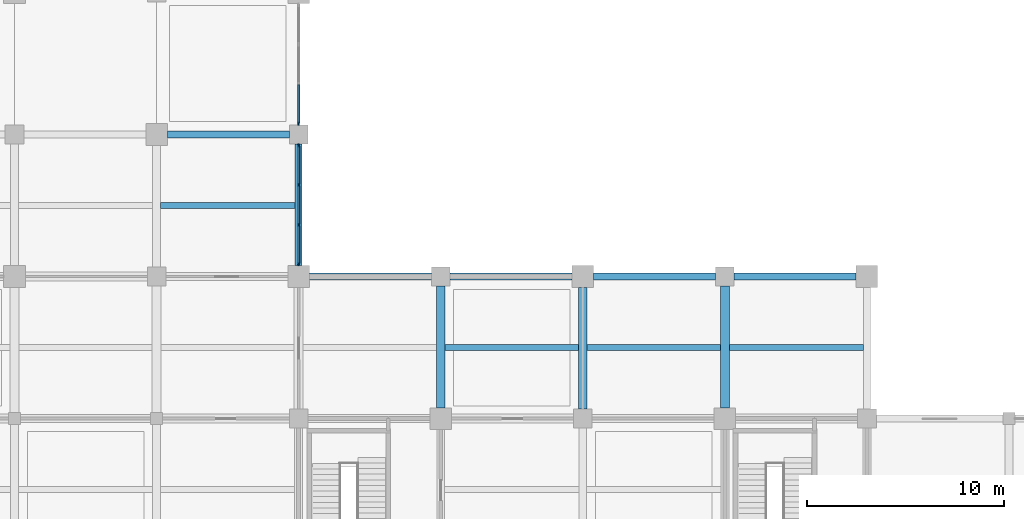
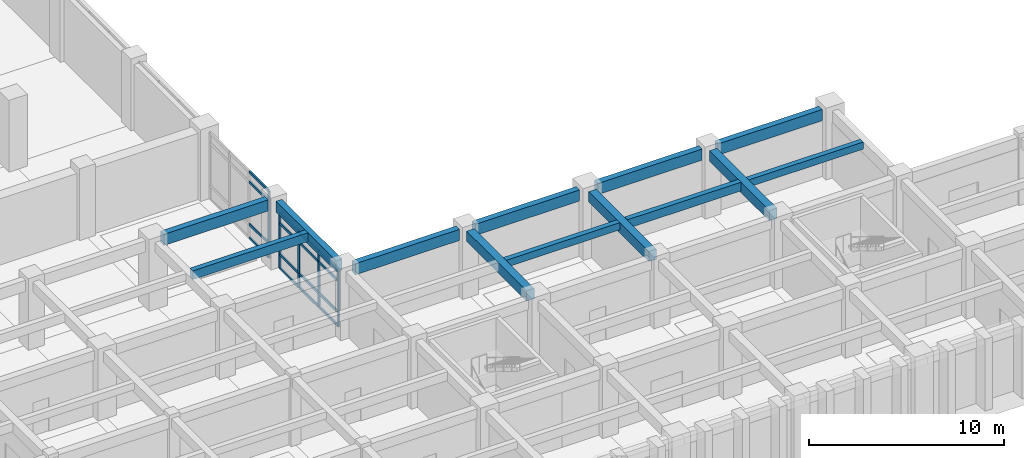
# One storey, part 5 of 81: 21 members, 13 beams, 2 elements without a shape of their own.
"""IFC4 building model written with IfcOpenShell, lengths in metres."""

from ifc_helpers import new_model, si_unit, direction, frame, origin, origin_2d, place, context, subcontext, project, spatial, rectangle, extrude, material, layer, layer_set, material_profile, profile_set, type_object, element, aggregate, save


model = new_model("IFC4")

# Units and contexts
model_context = context("Model", 3, precision=1e-05, world=origin(), true_north=direction((0.0, 1.0)))
body_context = subcontext(model_context, "Body", "Model", "MODEL_VIEW")
ifc_project = project(units=[si_unit("LENGTHUNIT", "METRE"), si_unit("AREAUNIT", "SQUARE_METRE"), si_unit("VOLUMEUNIT", "CUBIC_METRE"), si_unit("PLANEANGLEUNIT", "RADIAN"), si_unit("MASSUNIT", "GRAM", prefix="KILO")], contexts=[model_context])

# Site, building, storey
site_placement = place(None, origin())
site = spatial("IfcSite", under=ifc_project, at=site_placement, CompositionType="ELEMENT")
building_placement = place(site_placement, origin())
building = spatial("IfcBuilding", under=site, at=building_placement, Name="Kavelor Marine Aquarium", CompositionType="ELEMENT")
storey_placement = place(building_placement, frame((0.0, 0.0, 4.679931640625)))
storey = spatial("IfcBuildingStorey", under=building, at=storey_placement, Name="L01", CompositionType="ELEMENT", Elevation=4.679931640625)

# Beams
ifc_material_1 = material(Name="Concrete C40/50", Category="concrete")
ifc_material_profile_1 = material_profile(ifc_material_1, rectangle(XDim=0.449951171875, YDim=0.64990234375, at=origin_2d()), Name="RC-BM 450x650")
ifc_profile_set_1 = profile_set([ifc_material_profile_1], Name="Concrete C40/50")
beam_type_1 = type_object("IfcBeamType", Name="BM-B3", PredefinedType="BEAM", material=ifc_profile_set_1)
for number, where, z_axis, x_axis, name in (
    (1, (46.39990234375, 17.75, 3.875), (0.0, 1.0, 0.0), (-1.0, 0.0, 0.0), "bm:y:L01:L02:06_02"),
    (2, (53.60009765625, 17.675048828125, 3.875), (0.0, 1.0, 0.0), (-1.0, 0.0, 0.0), "bm:y:L01:L02:07_02"),
    (3, (60.800048828125, 17.75, 3.875), (0.0, 1.0, 0.0), (-1.0, 0.0, 0.0), "bm:y:L01:L02:08_02"),
):
    element("IfcBeam", number, at=place(storey_placement, frame(where, z_axis=z_axis, x_axis=x_axis)), inside=storey, type_object=beam_type_1, Name=name, PredefinedType="BEAM", context=body_context, shape_type="SweptSolid", body=[
        extrude(rectangle(XDim=0.449951171875, YDim=0.64990234375, at=origin_2d()), origin(), (0.0, 0.0, 1.0), 6.175048828125),
    ])
ifc_material_2 = material(Name="Concrete C40/50", Category="concrete")
ifc_material_profile_2 = material_profile(ifc_material_2, rectangle(XDim=0.300048828125, YDim=0.449951171875, at=origin_2d()), Name="RC-JS 300x450")
ifc_profile_set_2 = profile_set([ifc_material_profile_2], Name="Concrete C40/50")
beam_type_2 = type_object("IfcBeamType", Name="BM-JS1", PredefinedType="JOIST", material=ifc_profile_set_2)
beam_1_placement = place(storey_placement, frame((46.625, 20.800048828125, 3.97509765625), z_axis=(1.0, 0.0, 0.0), x_axis=(0.0, 1.0, 0.0)))
element("IfcBeam", 4, at=beam_1_placement, inside=storey, type_object=beam_type_2, Name="js:L01:L02:06_02", PredefinedType="JOIST", context=body_context, shape_type="SweptSolid", body=[
    extrude(rectangle(XDim=0.300048828125, YDim=0.449951171875, at=origin_2d()), origin(), (0.0, 0.0, 1.0), 6.75),
])
beam_2_placement = place(storey_placement, frame((61.02490234375, 20.800048828125, 3.97509765625), z_axis=(1.0, 0.0, 0.0), x_axis=(0.0, 1.0, 0.0)))
element("IfcBeam", 5, at=beam_2_placement, inside=storey, type_object=beam_type_2, Name="js:L01:L02:08_02", PredefinedType="JOIST", context=body_context, shape_type="SweptSolid", body=[
    extrude(rectangle(XDim=0.300048828125, YDim=0.449951171875, at=origin_2d()), origin(), (0.0, 0.0, 1.0), 6.800048828125),
])
ifc_material_3 = material(Name="Concrete C40/50", Category="concrete")
ifc_material_profile_3 = material_profile(ifc_material_3, rectangle(XDim=0.300048828125, YDim=0.550048828125, at=origin_2d()), Name="RC-JS 300x550")
ifc_profile_set_3 = profile_set([ifc_material_profile_3], Name="Concrete C40/50")
beam_type_3 = type_object("IfcBeamType", Name="BM-JS2", PredefinedType="JOIST", material=ifc_profile_set_3)
beam_3_placement = place(storey_placement, frame((32.199951171875, 28.0, 3.945068359375), z_axis=(1.0, 0.0, 0.0), x_axis=(0.0, 1.0, 0.0)))
element("IfcBeam", 6, at=beam_3_placement, inside=storey, type_object=beam_type_3, Name="js:L01:L02:04_03", PredefinedType="JOIST", context=body_context, shape_type="SweptSolid", body=[
    extrude(rectangle(XDim=0.300048828125, YDim=0.550048828125, at=origin_2d()), origin(), (0.0, 0.0, 1.0), 6.824951171875),
])
beam_4_placement = place(storey_placement, frame((53.824951171875, 20.800048828125, 3.945068359375), z_axis=(1.0, 0.0, 0.0), x_axis=(0.0, 1.0, 0.0)))
element("IfcBeam", 7, at=beam_4_placement, inside=storey, type_object=beam_type_3, Name="js:L01:L02:07_02", PredefinedType="JOIST", context=body_context, shape_type="SweptSolid", body=[
    extrude(rectangle(XDim=0.300048828125, YDim=0.550048828125, at=origin_2d()), origin(), (0.0, 0.0, 1.0), 6.75),
])
ifc_material_4 = material(Name="Concrete C40/50", Category="concrete")
ifc_material_profile_4 = material_profile(ifc_material_4, rectangle(XDim=0.35009765625, YDim=0.699951171875, at=origin_2d()), Name="RC-SP 350x700")
ifc_profile_set_4 = profile_set([ifc_material_profile_4], Name="Concrete C40/50")
beam_type_4 = type_object("IfcBeamType", Name="BM-SP1", PredefinedType="SPANDREL", material=ifc_profile_set_4)
for number, where, z_axis, x_axis, name in (
    (8, (32.550048828125, 31.60009765625, 3.8701171875), (1.0, 0.0, 0.0), (0.0, 1.0, 0.0), "bm:x:L01:L02:04_04"),
    (9, (39.75, 24.39990234375, 3.8701171875), (1.0, 0.0, 0.0), (0.0, 1.0, 0.0), "bm:x:L01:L02:05_03"),
    (10, (46.875, 24.39990234375, 3.85009765625), (1.0, 0.0, 0.0), (0.0, 1.0, 0.0), "bm:x:L01:L02:06_03"),
    (11, (54.14990234375, 24.39990234375, 3.8701171875), (1.0, 0.0, 0.0), (0.0, 1.0, 0.0), "bm:x:L01:L02:07_03"),
    (12, (61.27490234375, 24.39990234375, 3.85009765625), (1.0, 0.0, 0.0), (0.0, 1.0, 0.0), "bm:x:L01:L02:08_03"),
    (13, (39.199951171875, 24.949951171875, 3.8701171875), (0.0, 1.0, 0.0), (-1.0, 0.0, 0.0), "bm:y:L01:L02:05_03"),
):
    element("IfcBeam", number, at=place(storey_placement, frame(where, z_axis=z_axis, x_axis=x_axis)), inside=storey, type_object=beam_type_4, Name=name, PredefinedType="SPANDREL", context=body_context, shape_type="SweptSolid", body=[
        extrude(rectangle(XDim=0.35009765625, YDim=0.699951171875, at=origin_2d()), origin(), (0.0, 0.0, 1.0), 6.175048828125),
    ])

# Curtain wall, members
ifc_material_5 = material(Name="Thermally Broken Aluminium and Low-E Glass", Category="aluminium")
ifc_layer_1 = layer(ifc_material_5, 0.26806640625)
ifc_layer_set_1 = layer_set([ifc_layer_1], Name="CW-SYS16")
curtain_wall_type_1 = type_object("IfcCurtainWallType", Name="CW-SYS16", PredefinedType="USERDEFINED", material=ifc_layer_set_1)
curtain_wall_1_placement = place(storey_placement, origin())
curtain_wall_1 = element("IfcCurtainWall", 14, at=curtain_wall_1_placement, inside=storey, type_object=curtain_wall_type_1, Name="cw:y:L01:05_03", ObjectType="Curtain Wall", PredefinedType="USERDEFINED")
ifc_material_6 = material(Name="Anodised Aluminium Alloy 6063-T6", Category="aluminium")
ifc_material_profile_5 = material_profile(ifc_material_6, rectangle(XDim=0.074951171875, YDim=0.179931640625, at=origin_2d()), Name="CW-MUL 75x180")
ifc_profile_set_5 = profile_set([ifc_material_profile_5], Name="Anodised Aluminium Alloy 6063-T6")
member_type_1 = type_object("IfcMemberType", Name="CWM-1", PredefinedType="MULLION", material=ifc_profile_set_5)
member_1_placement = place(storey_placement, frame((39.199951171875, 25.032470703125, 0.0), z_axis=(0.0, 0.0, 1.0), x_axis=(-1.0, 0.0, 0.0)))
member_1 = element("IfcMember", 15, at=member_1_placement, type_object=member_type_1, Name="CW16 mullion 1", PredefinedType="MULLION", context=body_context, shape_type="SweptSolid", body=[
    extrude(rectangle(XDim=0.074951171875, YDim=0.179931640625, at=origin_2d()), origin(), (0.0, 0.0, 1.0), 3.510009765625),
])
member_2_placement = place(storey_placement, frame((39.199951171875, 27.0234375, 0.0), z_axis=(0.0, 0.0, 1.0), x_axis=(-1.0, 0.0, 0.0)))
member_2 = element("IfcMember", 16, at=member_2_placement, type_object=member_type_1, Name="CW16 mullion 2", PredefinedType="MULLION", context=body_context, shape_type="SweptSolid", body=[
    extrude(rectangle(XDim=0.074951171875, YDim=0.179931640625, at=origin_2d()), origin(), (0.0, 0.0, 1.0), 3.510009765625),
])
member_3_placement = place(storey_placement, frame((39.199951171875, 29.0517578125, 0.0), z_axis=(0.0, 0.0, 1.0), x_axis=(-1.0, 0.0, 0.0)))
member_3 = element("IfcMember", 17, at=member_3_placement, type_object=member_type_1, Name="CW16 mullion 3", PredefinedType="MULLION", context=body_context, shape_type="SweptSolid", body=[
    extrude(rectangle(XDim=0.074951171875, YDim=0.179931640625, at=origin_2d()), origin(), (0.0, 0.0, 1.0), 3.510009765625),
])
member_4_placement = place(storey_placement, frame((39.199951171875, 31.04248046875, 0.0), z_axis=(0.0, 0.0, 1.0), x_axis=(-1.0, 0.0, 0.0)))
member_4 = element("IfcMember", 18, at=member_4_placement, type_object=member_type_1, Name="CW16 mullion 4", PredefinedType="MULLION", context=body_context, shape_type="SweptSolid", body=[
    extrude(rectangle(XDim=0.074951171875, YDim=0.179931640625, at=origin_2d()), origin(), (0.0, 0.0, 1.0), 3.510009765625),
])

# Curtain wall, member
ifc_material_7 = material(Name="Thermally Broken Aluminium and Low-E Glass", Category="aluminium")
ifc_layer_2 = layer(ifc_material_7, 0.27587890625)
ifc_layer_set_2 = layer_set([ifc_layer_2], Name="CW-SYS17")
curtain_wall_type_2 = type_object("IfcCurtainWallType", Name="CW-SYS17", PredefinedType="USERDEFINED", material=ifc_layer_set_2)
curtain_wall_2_placement = place(storey_placement, origin())
curtain_wall_2 = element("IfcCurtainWall", 19, at=curtain_wall_2_placement, inside=storey, type_object=curtain_wall_type_2, Name="cw:y:L01:05_04", ObjectType="Curtain Wall", PredefinedType="USERDEFINED")
ifc_material_8 = material(Name="Anodised Aluminium Alloy 6063-T6", Category="aluminium")
ifc_material_profile_6 = material_profile(ifc_material_8, rectangle(XDim=0.080078125, YDim=0.18505859375, at=origin_2d()), Name="CW-MUL 80x185")
ifc_profile_set_6 = profile_set([ifc_material_profile_6], Name="Anodised Aluminium Alloy 6063-T6")
member_type_2 = type_object("IfcMemberType", Name="CWM-2", PredefinedType="MULLION", material=ifc_profile_set_6)
member_5_placement = place(storey_placement, frame((39.199951171875, 32.152587890625, 0.0), z_axis=(0.0, 0.0, 1.0), x_axis=(-1.0, 0.0, 0.0)))
member_5 = element("IfcMember", 20, at=member_5_placement, type_object=member_type_2, Name="CW17 mullion 1", PredefinedType="MULLION", context=body_context, shape_type="SweptSolid", body=[
    extrude(rectangle(XDim=0.080078125, YDim=0.18505859375, at=origin_2d()), origin(), (0.0, 0.0, 1.0), 4.199951171875),
])

# Member
ifc_material_9 = material(Name="Anodised Aluminium Alloy 6063-T6", Category="aluminium")
ifc_material_profile_7 = material_profile(ifc_material_9, rectangle(XDim=0.0849609375, YDim=0.159912109375, at=origin_2d()), Name="CW-TRN 85x160")
ifc_profile_set_7 = profile_set([ifc_material_profile_7], Name="Anodised Aluminium Alloy 6063-T6")
member_type_3 = type_object("IfcMemberType", Name="CWT-3", PredefinedType="USERDEFINED", material=ifc_profile_set_7)
member_6_placement = place(storey_placement, frame((39.199951171875, 25.070068359375, 0.030029296875), z_axis=(0.0, 1.0, 0.0), x_axis=(-1.0, 0.0, 0.0)))
member_6 = element("IfcMember", 21, at=member_6_placement, type_object=member_type_3, Name="CW16 transom 1.1", ObjectType="TRANSOM", PredefinedType="USERDEFINED", context=body_context, shape_type="SweptSolid", body=[
    extrude(rectangle(XDim=0.0849609375, YDim=0.159912109375, at=origin_2d()), origin(), (0.0, 0.0, 1.0), 1.915771484375),
])

member_7_placement = place(storey_placement, frame((39.199951171875, 25.070068359375, 0.900146484375), z_axis=(0.0, 1.0, 0.0), x_axis=(-1.0, 0.0, 0.0)))
member_7 = element("IfcMember", 22, at=member_7_placement, type_object=member_type_3, Name="CW16 transom 1.2", ObjectType="TRANSOM", PredefinedType="USERDEFINED", context=body_context, shape_type="SweptSolid", body=[
    extrude(rectangle(XDim=0.0849609375, YDim=0.159912109375, at=origin_2d()), origin(), (0.0, 0.0, 1.0), 1.915771484375),
])

member_8_placement = place(storey_placement, frame((39.199951171875, 25.070068359375, 2.860107421875), z_axis=(0.0, 1.0, 0.0), x_axis=(-1.0, 0.0, 0.0)))
member_8 = element("IfcMember", 23, at=member_8_placement, type_object=member_type_3, Name="CW16 transom 1.3", ObjectType="TRANSOM", PredefinedType="USERDEFINED", context=body_context, shape_type="SweptSolid", body=[
    extrude(rectangle(XDim=0.0849609375, YDim=0.159912109375, at=origin_2d()), origin(), (0.0, 0.0, 1.0), 1.915771484375),
])

member_9_placement = place(storey_placement, frame((39.199951171875, 25.070068359375, 3.47998046875), z_axis=(0.0, 1.0, 0.0), x_axis=(-1.0, 0.0, 0.0)))
member_9 = element("IfcMember", 24, at=member_9_placement, type_object=member_type_3, Name="CW16 transom 1.4", ObjectType="TRANSOM", PredefinedType="USERDEFINED", context=body_context, shape_type="SweptSolid", body=[
    extrude(rectangle(XDim=0.0849609375, YDim=0.159912109375, at=origin_2d()), origin(), (0.0, 0.0, 1.0), 1.915771484375),
])

member_10_placement = place(storey_placement, frame((39.199951171875, 27.060791015625, 0.030029296875), z_axis=(0.0, 1.0, 0.0), x_axis=(-1.0, 0.0, 0.0)))
member_10 = element("IfcMember", 25, at=member_10_placement, type_object=member_type_3, Name="CW16 transom 2.1", ObjectType="TRANSOM", PredefinedType="USERDEFINED", context=body_context, shape_type="SweptSolid", body=[
    extrude(rectangle(XDim=0.0849609375, YDim=0.159912109375, at=origin_2d()), origin(), (0.0, 0.0, 1.0), 1.953369140625),
])

member_11_placement = place(storey_placement, frame((39.199951171875, 27.060791015625, 0.900146484375), z_axis=(0.0, 1.0, 0.0), x_axis=(-1.0, 0.0, 0.0)))
member_11 = element("IfcMember", 26, at=member_11_placement, type_object=member_type_3, Name="CW16 transom 2.2", ObjectType="TRANSOM", PredefinedType="USERDEFINED", context=body_context, shape_type="SweptSolid", body=[
    extrude(rectangle(XDim=0.0849609375, YDim=0.159912109375, at=origin_2d()), origin(), (0.0, 0.0, 1.0), 1.953369140625),
])

member_12_placement = place(storey_placement, frame((39.199951171875, 27.060791015625, 2.860107421875), z_axis=(0.0, 1.0, 0.0), x_axis=(-1.0, 0.0, 0.0)))
member_12 = element("IfcMember", 27, at=member_12_placement, type_object=member_type_3, Name="CW16 transom 2.3", ObjectType="TRANSOM", PredefinedType="USERDEFINED", context=body_context, shape_type="SweptSolid", body=[
    extrude(rectangle(XDim=0.0849609375, YDim=0.159912109375, at=origin_2d()), origin(), (0.0, 0.0, 1.0), 1.953369140625),
])

member_13_placement = place(storey_placement, frame((39.199951171875, 27.060791015625, 3.47998046875), z_axis=(0.0, 1.0, 0.0), x_axis=(-1.0, 0.0, 0.0)))
member_13 = element("IfcMember", 28, at=member_13_placement, type_object=member_type_3, Name="CW16 transom 2.4", ObjectType="TRANSOM", PredefinedType="USERDEFINED", context=body_context, shape_type="SweptSolid", body=[
    extrude(rectangle(XDim=0.0849609375, YDim=0.159912109375, at=origin_2d()), origin(), (0.0, 0.0, 1.0), 1.953369140625),
])

member_14_placement = place(storey_placement, frame((39.199951171875, 29.089111328125, 0.030029296875), z_axis=(0.0, 1.0, 0.0), x_axis=(-1.0, 0.0, 0.0)))
member_14 = element("IfcMember", 29, at=member_14_placement, type_object=member_type_3, Name="CW16 transom 3.1", ObjectType="TRANSOM", PredefinedType="USERDEFINED", context=body_context, shape_type="SweptSolid", body=[
    extrude(rectangle(XDim=0.0849609375, YDim=0.159912109375, at=origin_2d()), origin(), (0.0, 0.0, 1.0), 1.915771484375),
])

member_15_placement = place(storey_placement, frame((39.199951171875, 29.089111328125, 0.900146484375), z_axis=(0.0, 1.0, 0.0), x_axis=(-1.0, 0.0, 0.0)))
member_15 = element("IfcMember", 30, at=member_15_placement, type_object=member_type_3, Name="CW16 transom 3.2", ObjectType="TRANSOM", PredefinedType="USERDEFINED", context=body_context, shape_type="SweptSolid", body=[
    extrude(rectangle(XDim=0.0849609375, YDim=0.159912109375, at=origin_2d()), origin(), (0.0, 0.0, 1.0), 1.915771484375),
])

member_16_placement = place(storey_placement, frame((39.199951171875, 29.089111328125, 2.860107421875), z_axis=(0.0, 1.0, 0.0), x_axis=(-1.0, 0.0, 0.0)))
member_16 = element("IfcMember", 31, at=member_16_placement, type_object=member_type_3, Name="CW16 transom 3.3", ObjectType="TRANSOM", PredefinedType="USERDEFINED", context=body_context, shape_type="SweptSolid", body=[
    extrude(rectangle(XDim=0.0849609375, YDim=0.159912109375, at=origin_2d()), origin(), (0.0, 0.0, 1.0), 1.915771484375),
])

member_17_placement = place(storey_placement, frame((39.199951171875, 29.089111328125, 3.47998046875), z_axis=(0.0, 1.0, 0.0), x_axis=(-1.0, 0.0, 0.0)))
member_17 = element("IfcMember", 32, at=member_17_placement, type_object=member_type_3, Name="CW16 transom 3.4", ObjectType="TRANSOM", PredefinedType="USERDEFINED", context=body_context, shape_type="SweptSolid", body=[
    extrude(rectangle(XDim=0.0849609375, YDim=0.159912109375, at=origin_2d()), origin(), (0.0, 0.0, 1.0), 1.915771484375),
])

aggregate(curtain_wall_1, [member_1, member_2, member_3, member_4, member_6, member_7, member_8, member_9, member_10, member_11, member_12, member_13, member_14, member_15, member_16, member_17])

member_18_placement = place(storey_placement, frame((39.199951171875, 32.18505859375, 0.030029296875), z_axis=(0.0, 1.0, 0.0), x_axis=(-1.0, 0.0, 0.0)))
member_18 = element("IfcMember", 33, at=member_18_placement, type_object=member_type_3, Name="CW17 transom 1.1", ObjectType="TRANSOM", PredefinedType="USERDEFINED", context=body_context, shape_type="SweptSolid", body=[
    extrude(rectangle(XDim=0.0849609375, YDim=0.159912109375, at=origin_2d()), origin(), (0.0, 0.0, 1.0), 1.9306640625),
])

member_19_placement = place(storey_placement, frame((39.199951171875, 32.18505859375, 0.900146484375), z_axis=(0.0, 1.0, 0.0), x_axis=(-1.0, 0.0, 0.0)))
member_19 = element("IfcMember", 34, at=member_19_placement, type_object=member_type_3, Name="CW17 transom 1.2", ObjectType="TRANSOM", PredefinedType="USERDEFINED", context=body_context, shape_type="SweptSolid", body=[
    extrude(rectangle(XDim=0.0849609375, YDim=0.159912109375, at=origin_2d()), origin(), (0.0, 0.0, 1.0), 1.9306640625),
])

member_20_placement = place(storey_placement, frame((39.199951171875, 32.18505859375, 3.550048828125), z_axis=(0.0, 1.0, 0.0), x_axis=(-1.0, 0.0, 0.0)))
member_20 = element("IfcMember", 35, at=member_20_placement, type_object=member_type_3, Name="CW17 transom 1.3", ObjectType="TRANSOM", PredefinedType="USERDEFINED", context=body_context, shape_type="SweptSolid", body=[
    extrude(rectangle(XDim=0.0849609375, YDim=0.159912109375, at=origin_2d()), origin(), (0.0, 0.0, 1.0), 1.9306640625),
])

member_21_placement = place(storey_placement, frame((39.199951171875, 32.18505859375, 4.170166015625), z_axis=(0.0, 1.0, 0.0), x_axis=(-1.0, 0.0, 0.0)))
member_21 = element("IfcMember", 36, at=member_21_placement, type_object=member_type_3, Name="CW17 transom 1.4", ObjectType="TRANSOM", PredefinedType="USERDEFINED", context=body_context, shape_type="SweptSolid", body=[
    extrude(rectangle(XDim=0.0849609375, YDim=0.159912109375, at=origin_2d()), origin(), (0.0, 0.0, 1.0), 1.9306640625),
])

aggregate(curtain_wall_2, [member_5, member_18, member_19, member_20, member_21])

save(model, "model.ifc")
